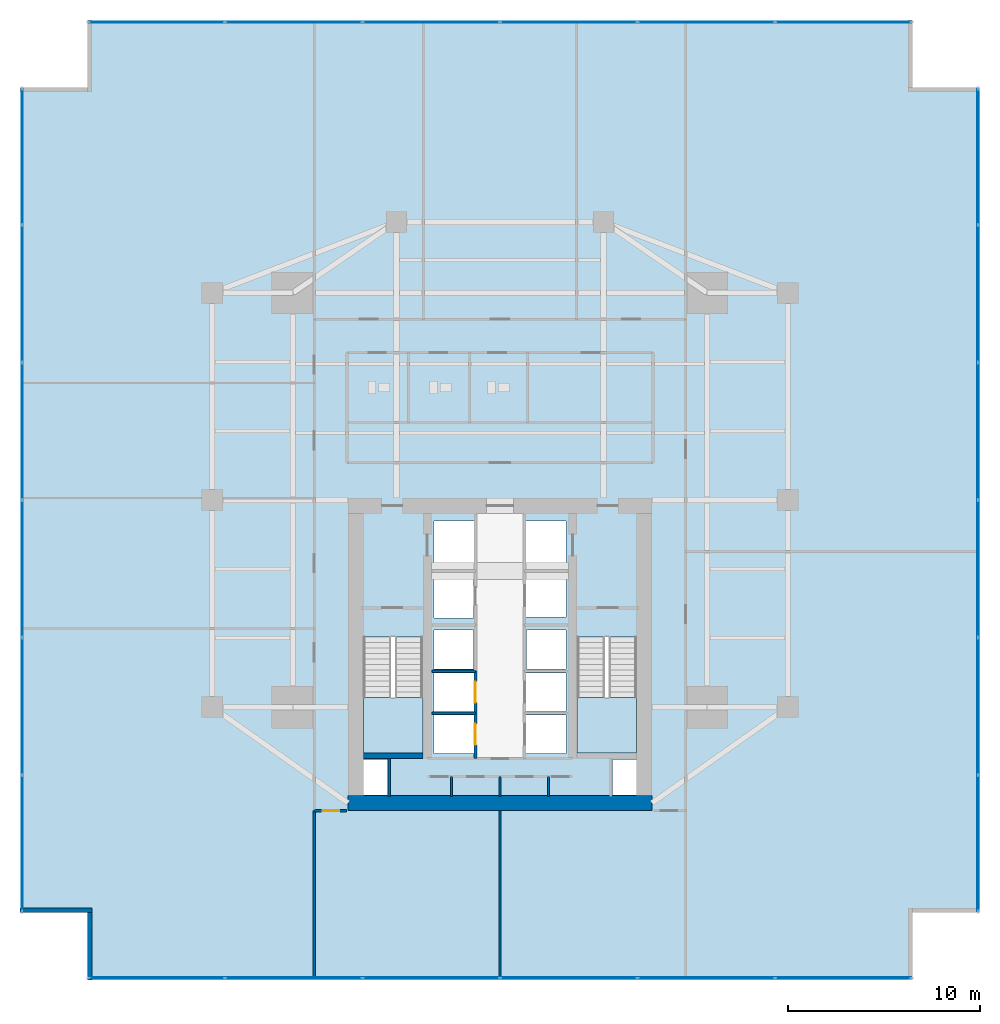
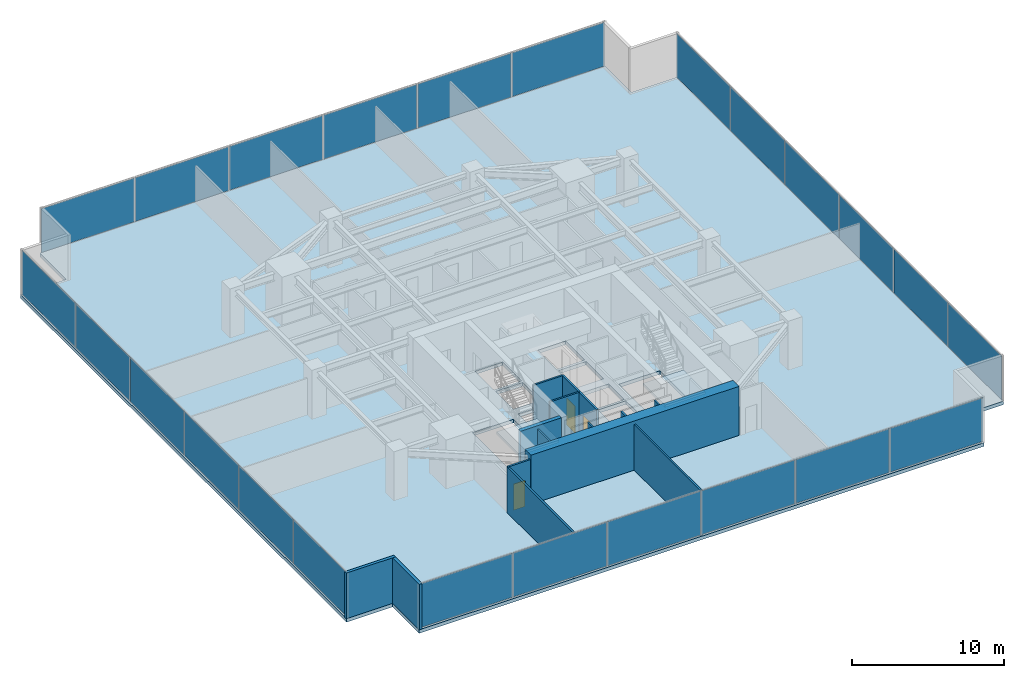
# One storey, part 24 of 28: 24 plates, 14 walls, 3 doors, 3 slabs, 3 openings, 6 elements without a shape of their own.
"""IFC4 building model written with IfcOpenShell, lengths in metres."""

from ifc_helpers import new_model, si_unit, direction, frame, frame_2d, origin, origin_2d, place, context, subcontext, project, spatial, polyline, rectangle, outline, extrude, source, transform, mapped, material, layer, layer_set, type_object, type_shapes, element, fill, aggregate, save


model = new_model("IFC4")

# Units and contexts
model_context = context("Model", 3, precision=1e-05, world=origin(), true_north=direction((0.0, 1.0)))
body_context = subcontext(model_context, "Body", "Model", "MODEL_VIEW")
ifc_project = project(units=[si_unit("LENGTHUNIT", "METRE"), si_unit("AREAUNIT", "SQUARE_METRE"), si_unit("VOLUMEUNIT", "CUBIC_METRE"), si_unit("PLANEANGLEUNIT", "RADIAN"), si_unit("MASSUNIT", "GRAM", prefix="KILO")], contexts=[model_context])

# Site, building, storey
site_placement = place(None, origin())
site = spatial("IfcSite", under=ifc_project, at=site_placement, CompositionType="ELEMENT")
building_placement = place(site_placement, origin())
building = spatial("IfcBuilding", under=site, at=building_placement, Name="Krantzveldt Concourse Tower", CompositionType="ELEMENT")
storey_placement = place(building_placement, frame((0.0, 0.0, 28.949951171875)))
storey = spatial("IfcBuildingStorey", under=building, at=storey_placement, Name="L06", CompositionType="ELEMENT", Elevation=28.949951171875)

# Stair, slab
ifc_material_1 = material(Name="Precast concrete C40/50", Category="concrete")
stair_type = type_object("IfcStairType", Name="STR-CORE-DOGLEG", PredefinedType="HALF_TURN_STAIR", material=ifc_material_1)
stair_1_placement = place(storey_placement, origin())
stair_1 = element("IfcStair", 1, at=stair_1_placement, inside=storey, type_object=stair_type, Name="L06 Protected Escape Stair ST-1", PredefinedType="HALF_TURN_STAIR")
ifc_layer_1 = layer(ifc_material_1, 0.199951171875, Name="Precast concrete C40/50", Category="concrete")
ifc_layer_set_1 = layer_set([ifc_layer_1], Name="Precast concrete C40/50 (SL-LANDING-200)")
slab_type_1 = type_object("IfcSlabType", Name="SL-LANDING-200", PredefinedType="LANDING", material=ifc_layer_set_1)
slab_1_placement = place(storey_placement, frame((0.0, 0.0, 1.775146484375)))
slab_1 = element("IfcSlab", 2, at=slab_1_placement, type_object=slab_type_1, Name="ST-1 landing 1", PredefinedType="LANDING", context=body_context, shape_type="SweptSolid", body=[
    extrude(outline(polyline([(28.8798828125, 16.4150390625), (28.8798828125, 13.52001953125), (31.97998046875, 13.52001953125), (31.97998046875, 16.4150390625), (28.8798828125, 16.4150390625)])), origin(), (0.0, 0.0, 1.0), 0.199951171875),
])
aggregate(stair_1, [slab_1])

stair_2_placement = place(storey_placement, origin())
stair_2 = element("IfcStair", 3, at=stair_2_placement, inside=storey, type_object=stair_type, Name="L06 Protected Escape Stair ST-2", PredefinedType="HALF_TURN_STAIR")
slab_2_placement = place(storey_placement, frame((0.0, 0.0, 1.775146484375)))
slab_2 = element("IfcSlab", 4, at=slab_2_placement, type_object=slab_type_1, Name="ST-2 landing 1", PredefinedType="LANDING", context=body_context, shape_type="SweptSolid", body=[
    extrude(outline(polyline([(40.02001953125, 16.4150390625), (40.02001953125, 13.52001953125), (43.1201171875, 13.52001953125), (43.1201171875, 16.4150390625), (40.02001953125, 16.4150390625)])), origin(), (0.0, 0.0, 1.0), 0.199951171875),
])
aggregate(stair_2, [slab_2])

# Slab
ifc_material_2 = material(Name="Concrete C40/50", Category="concrete")
ifc_layer_2 = layer(ifc_material_2, 0.280029296875, Name="Concrete C40/50", Category="concrete")
ifc_layer_set_2 = layer_set([ifc_layer_2], Name="Concrete C40/50 (SL-SL-TWR280)")
slab_type_2 = type_object("IfcSlabType", Name="SL-SL-TWR280", PredefinedType="FLOOR", material=ifc_layer_set_2)
slab_3_placement = place(storey_placement, frame((0.0, 0.0, -0.280029296875)))
element("IfcSlab", 5, at=slab_3_placement, inside=storey, type_object=slab_type_2, Name="SL-L06-MAIN", PredefinedType="FLOOR", context=body_context, shape_type="SweptSolid", body=[
    extrude(outline(polyline([(14.5, 48.199951171875), (11.0, 48.199951171875), (11.0, 5.199951171875), (14.5, 5.199951171875), (14.5, 1.699951171875), (57.5, 1.699951171875), (57.5, 5.199951171875), (61.0, 5.199951171875), (61.0, 48.199951171875), (57.5, 48.199951171875), (57.5, 51.699951171875), (14.5, 51.699951171875), (14.5, 48.199951171875)]), holes=[polyline([(28.8798828125, 19.547607421875), (28.8798828125, 13.52001953125), (31.97998046875, 13.52001953125), (31.97998046875, 19.547607421875), (28.8798828125, 19.547607421875)]), polyline([(40.02001953125, 19.547607421875), (40.02001953125, 13.52001953125), (43.1201171875, 13.52001953125), (43.1201171875, 19.547607421875), (40.02001953125, 19.547607421875)]), polyline([(32.550048828125, 23.10009765625), (34.64990234375, 23.10009765625), (34.64990234375, 25.60009765625), (32.550048828125, 25.60009765625), (32.550048828125, 23.10009765625)]), polyline([(37.35009765625, 23.10009765625), (39.449951171875, 23.10009765625), (39.449951171875, 25.60009765625), (37.35009765625, 25.60009765625), (37.35009765625, 23.10009765625)]), polyline([(37.35009765625, 20.60009765625), (39.449951171875, 20.60009765625), (39.449951171875, 22.89990234375), (37.35009765625, 22.89990234375), (37.35009765625, 20.60009765625)]), polyline([(32.550048828125, 13.47998046875), (34.64990234375, 13.47998046875), (34.64990234375, 15.47998046875), (32.550048828125, 15.47998046875), (32.550048828125, 13.47998046875)]), polyline([(32.550048828125, 15.679931640625), (34.64990234375, 15.679931640625), (34.64990234375, 17.679931640625), (32.550048828125, 17.679931640625), (32.550048828125, 15.679931640625)]), polyline([(37.35009765625, 13.47998046875), (39.449951171875, 13.47998046875), (39.449951171875, 15.47998046875), (37.35009765625, 15.47998046875), (37.35009765625, 13.47998046875)]), polyline([(37.35009765625, 15.679931640625), (39.449951171875, 15.679931640625), (39.449951171875, 17.679931640625), (37.35009765625, 17.679931640625), (37.35009765625, 15.679931640625)]), polyline([(32.550048828125, 20.550048828125), (34.6201171875, 20.550048828125), (34.6201171875, 22.89990234375), (32.550048828125, 22.89990234375), (32.550048828125, 20.550048828125)]), polyline([(32.550048828125, 17.8798828125), (34.6201171875, 17.8798828125), (34.6201171875, 19.919921875), (32.550048828125, 19.919921875), (32.550048828125, 17.8798828125)]), polyline([(37.3798828125, 17.8798828125), (39.449951171875, 17.8798828125), (39.449951171875, 19.919921875), (37.3798828125, 19.919921875), (37.3798828125, 17.8798828125)]), polyline([(28.8798828125, 11.320068359375), (30.139892578125, 11.320068359375), (30.139892578125, 13.159912109375), (28.8798828125, 13.159912109375), (28.8798828125, 11.320068359375)]), polyline([(41.860107421875, 11.320068359375), (43.1201171875, 11.320068359375), (43.1201171875, 13.159912109375), (41.860107421875, 13.159912109375), (41.860107421875, 11.320068359375)])]), origin(), (0.0, 0.0, 1.0), 0.280029296875),
])

# Curtain wall, plates
ifc_material_3 = material(Name="Anodised aluminium 6063-T6", Category="aluminium")
curtain_wall_type = type_object("IfcCurtainWallType", Name="CW2", PredefinedType="USERDEFINED", material=ifc_material_3)
curtain_wall_1_placement = place(storey_placement, origin())
curtain_wall_1 = element("IfcCurtainWall", 6, at=curtain_wall_1_placement, inside=storey, type_object=curtain_wall_type, Name="CW-L06-F01", ObjectType="UNITISED CURTAIN WALL", PredefinedType="USERDEFINED")
ifc_material_4 = material(Name="Bronze-tinted laminated low-E IGU glass", Category="glass")
ifc_layer_3 = layer(ifc_material_4, 0.031982421875, Name="Bronze-tinted laminated low-E IGU glass", Category="glass")
ifc_layer_set_3 = layer_set([ifc_layer_3], Name="Bronze-tinted laminated low-E IGU glass (CW-GLZ-32)")
plate_type = type_object("IfcPlateType", Name="CW-GLZ-32", PredefinedType="CURTAIN_PANEL", material=ifc_layer_set_3)
shared_shape_1 = source(origin(), body_context, "Body", "SweptSolid", [
    extrude(rectangle(XDim=7.061767578125, YDim=0.031982421875, at=origin_2d()), origin(), (0.0, 0.0, 1.0), 3.530029296875),
])
plate_1_placement = place(storey_placement, frame((11.090087890625, 44.59912109375, 0.06982421875), z_axis=(0.0, 0.0, 1.0), x_axis=(0.0, -1.0, 0.0)))
plate_1 = element("IfcPlate", 7, at=plate_1_placement, type_object=plate_type, Name="CW-Z12 panel 1.1", PredefinedType="CURTAIN_PANEL", context=body_context, shape_type="MappedRepresentation", body=[
    mapped(shared_shape_1, transform((0.0, 0.0, 0.0), x_axis=(1.0, 0.0, 0.0), y_axis=(0.0, 1.0, 0.0), z_axis=(0.0, 0.0, 1.0), scale=1.0)),
])
plate_2_placement = place(storey_placement, frame((11.090087890625, 8.80078125, 0.06982421875), z_axis=(0.0, 0.0, 1.0), x_axis=(0.0, -1.0, 0.0)))
plate_2 = element("IfcPlate", 8, at=plate_2_placement, type_object=plate_type, Name="CW-Z12 panel 6.1", PredefinedType="CURTAIN_PANEL", context=body_context, shape_type="MappedRepresentation", body=[
    mapped(shared_shape_1, transform((0.0, 0.0, 0.0), x_axis=(1.0, 0.0, 0.0), y_axis=(0.0, 1.0, 0.0), z_axis=(0.0, 0.0, 1.0), scale=1.0)),
])

curtain_wall_2_placement = place(storey_placement, origin())
curtain_wall_2 = element("IfcCurtainWall", 9, at=curtain_wall_2_placement, inside=storey, type_object=curtain_wall_type, Name="CW-L06-F04", ObjectType="UNITISED CURTAIN WALL", PredefinedType="USERDEFINED")
plate_3_placement = place(storey_placement, frame((18.100830078125, 1.7900390625, 0.06982421875), z_axis=(0.0, 0.0, 1.0), x_axis=(1.0, 0.0, 0.0)))
plate_3 = element("IfcPlate", 10, at=plate_3_placement, type_object=plate_type, Name="CW-Z12 panel 1.1", PredefinedType="CURTAIN_PANEL", context=body_context, shape_type="MappedRepresentation", body=[
    mapped(shared_shape_1, transform((0.0, 0.0, 0.0), x_axis=(1.0, 0.0, 0.0), y_axis=(0.0, 1.0, 0.0), z_axis=(0.0, 0.0, 1.0), scale=1.0)),
])
plate_4_placement = place(storey_placement, frame((53.899169921875, 1.7900390625, 0.06982421875), z_axis=(0.0, 0.0, 1.0), x_axis=(1.0, 0.0, 0.0)))
plate_4 = element("IfcPlate", 11, at=plate_4_placement, type_object=plate_type, Name="CW-Z12 panel 6.1", PredefinedType="CURTAIN_PANEL", context=body_context, shape_type="MappedRepresentation", body=[
    mapped(shared_shape_1, transform((0.0, 0.0, 0.0), x_axis=(1.0, 0.0, 0.0), y_axis=(0.0, 1.0, 0.0), z_axis=(0.0, 0.0, 1.0), scale=1.0)),
])

curtain_wall_3_placement = place(storey_placement, origin())
curtain_wall_3 = element("IfcCurtainWall", 12, at=curtain_wall_3_placement, inside=storey, type_object=curtain_wall_type, Name="CW-L06-F07", ObjectType="UNITISED CURTAIN WALL", PredefinedType="USERDEFINED")
plate_5_placement = place(storey_placement, frame((60.909912109375, 8.80078125, 0.06982421875), z_axis=(0.0, 0.0, 1.0), x_axis=(0.0, 1.0, 0.0)))
plate_5 = element("IfcPlate", 13, at=plate_5_placement, type_object=plate_type, Name="CW-Z12 panel 1.1", PredefinedType="CURTAIN_PANEL", context=body_context, shape_type="MappedRepresentation", body=[
    mapped(shared_shape_1, transform((0.0, 0.0, 0.0), x_axis=(1.0, 0.0, 0.0), y_axis=(0.0, 1.0, 0.0), z_axis=(0.0, 0.0, 1.0), scale=1.0)),
])
plate_6_placement = place(storey_placement, frame((60.909912109375, 44.59912109375, 0.06982421875), z_axis=(0.0, 0.0, 1.0), x_axis=(0.0, 1.0, 0.0)))
plate_6 = element("IfcPlate", 14, at=plate_6_placement, type_object=plate_type, Name="CW-Z12 panel 6.1", PredefinedType="CURTAIN_PANEL", context=body_context, shape_type="MappedRepresentation", body=[
    mapped(shared_shape_1, transform((0.0, 0.0, 0.0), x_axis=(1.0, 0.0, 0.0), y_axis=(0.0, 1.0, 0.0), z_axis=(0.0, 0.0, 1.0), scale=1.0)),
])

curtain_wall_4_placement = place(storey_placement, origin())
curtain_wall_4 = element("IfcCurtainWall", 15, at=curtain_wall_4_placement, inside=storey, type_object=curtain_wall_type, Name="CW-L06-F10", ObjectType="UNITISED CURTAIN WALL", PredefinedType="USERDEFINED")
plate_7_placement = place(storey_placement, frame((53.899169921875, 51.610107421875, 0.06982421875), z_axis=(0.0, 0.0, 1.0), x_axis=(-1.0, 0.0, 0.0)))
plate_7 = element("IfcPlate", 16, at=plate_7_placement, type_object=plate_type, Name="CW-Z12 panel 1.1", PredefinedType="CURTAIN_PANEL", context=body_context, shape_type="MappedRepresentation", body=[
    mapped(shared_shape_1, transform((0.0, 0.0, 0.0), x_axis=(1.0, 0.0, 0.0), y_axis=(0.0, 1.0, 0.0), z_axis=(0.0, 0.0, 1.0), scale=1.0)),
])
plate_8_placement = place(storey_placement, frame((18.100830078125, 51.610107421875, 0.06982421875), z_axis=(0.0, 0.0, 1.0), x_axis=(-1.0, 0.0, 0.0)))
plate_8 = element("IfcPlate", 17, at=plate_8_placement, type_object=plate_type, Name="CW-Z12 panel 6.1", PredefinedType="CURTAIN_PANEL", context=body_context, shape_type="MappedRepresentation", body=[
    mapped(shared_shape_1, transform((0.0, 0.0, 0.0), x_axis=(1.0, 0.0, 0.0), y_axis=(0.0, 1.0, 0.0), z_axis=(0.0, 0.0, 1.0), scale=1.0)),
])

# Plate
shared_shape_2 = source(origin(), body_context, "Body", "SweptSolid", [
    extrude(rectangle(XDim=7.0966796875, YDim=0.031982421875, at=origin_2d()), origin(), (0.0, 0.0, 1.0), 3.530029296875),
])
type_shapes(plate_type, [shared_shape_1, shared_shape_2])
plate_9_placement = place(storey_placement, frame((11.090087890625, 37.449951171875, 0.06982421875), z_axis=(0.0, 0.0, 1.0), x_axis=(0.0, -1.0, 0.0)))
plate_9 = element("IfcPlate", 18, at=plate_9_placement, type_object=plate_type, Name="CW-Z12 panel 2.1", PredefinedType="CURTAIN_PANEL", context=body_context, shape_type="MappedRepresentation", body=[
    mapped(shared_shape_2, transform((0.0, 0.0, 0.0), x_axis=(1.0, 0.0, 0.0), y_axis=(0.0, 1.0, 0.0), z_axis=(0.0, 0.0, 1.0), scale=1.0)),
])

plate_10_placement = place(storey_placement, frame((11.090087890625, 30.283447265625, 0.06982421875), z_axis=(0.0, 0.0, 1.0), x_axis=(0.0, -1.0, 0.0)))
plate_10 = element("IfcPlate", 19, at=plate_10_placement, type_object=plate_type, Name="CW-Z12 panel 3.1", PredefinedType="CURTAIN_PANEL", context=body_context, shape_type="MappedRepresentation", body=[
    mapped(shared_shape_2, transform((0.0, 0.0, 0.0), x_axis=(1.0, 0.0, 0.0), y_axis=(0.0, 1.0, 0.0), z_axis=(0.0, 0.0, 1.0), scale=1.0)),
])

plate_11_placement = place(storey_placement, frame((11.090087890625, 23.11669921875, 0.06982421875), z_axis=(0.0, 0.0, 1.0), x_axis=(0.0, -1.0, 0.0)))
plate_11 = element("IfcPlate", 20, at=plate_11_placement, type_object=plate_type, Name="CW-Z12 panel 4.1", PredefinedType="CURTAIN_PANEL", context=body_context, shape_type="MappedRepresentation", body=[
    mapped(shared_shape_2, transform((0.0, 0.0, 0.0), x_axis=(1.0, 0.0, 0.0), y_axis=(0.0, 1.0, 0.0), z_axis=(0.0, 0.0, 1.0), scale=1.0)),
])

plate_12_placement = place(storey_placement, frame((11.090087890625, 15.949951171875, 0.06982421875), z_axis=(0.0, 0.0, 1.0), x_axis=(0.0, -1.0, 0.0)))
plate_12 = element("IfcPlate", 21, at=plate_12_placement, type_object=plate_type, Name="CW-Z12 panel 5.1", PredefinedType="CURTAIN_PANEL", context=body_context, shape_type="MappedRepresentation", body=[
    mapped(shared_shape_2, transform((0.0, 0.0, 0.0), x_axis=(1.0, 0.0, 0.0), y_axis=(0.0, 1.0, 0.0), z_axis=(0.0, 0.0, 1.0), scale=1.0)),
])

aggregate(curtain_wall_1, [plate_1, plate_9, plate_10, plate_11, plate_12, plate_2])

plate_13_placement = place(storey_placement, frame((25.25, 1.7900390625, 0.06982421875), z_axis=(0.0, 0.0, 1.0), x_axis=(1.0, 0.0, 0.0)))
plate_13 = element("IfcPlate", 22, at=plate_13_placement, type_object=plate_type, Name="CW-Z12 panel 2.1", PredefinedType="CURTAIN_PANEL", context=body_context, shape_type="MappedRepresentation", body=[
    mapped(shared_shape_2, transform((0.0, 0.0, 0.0), x_axis=(1.0, 0.0, 0.0), y_axis=(0.0, 1.0, 0.0), z_axis=(0.0, 0.0, 1.0), scale=1.0)),
])

plate_14_placement = place(storey_placement, frame((32.416748046875, 1.7900390625, 0.06982421875), z_axis=(0.0, 0.0, 1.0), x_axis=(1.0, 0.0, 0.0)))
plate_14 = element("IfcPlate", 23, at=plate_14_placement, type_object=plate_type, Name="CW-Z12 panel 3.1", PredefinedType="CURTAIN_PANEL", context=body_context, shape_type="MappedRepresentation", body=[
    mapped(shared_shape_2, transform((0.0, 0.0, 0.0), x_axis=(1.0, 0.0, 0.0), y_axis=(0.0, 1.0, 0.0), z_axis=(0.0, 0.0, 1.0), scale=1.0)),
])

plate_15_placement = place(storey_placement, frame((39.583251953125, 1.7900390625, 0.06982421875), z_axis=(0.0, 0.0, 1.0), x_axis=(1.0, 0.0, 0.0)))
plate_15 = element("IfcPlate", 24, at=plate_15_placement, type_object=plate_type, Name="CW-Z12 panel 4.1", PredefinedType="CURTAIN_PANEL", context=body_context, shape_type="MappedRepresentation", body=[
    mapped(shared_shape_2, transform((0.0, 0.0, 0.0), x_axis=(1.0, 0.0, 0.0), y_axis=(0.0, 1.0, 0.0), z_axis=(0.0, 0.0, 1.0), scale=1.0)),
])

plate_16_placement = place(storey_placement, frame((46.75, 1.7900390625, 0.06982421875), z_axis=(0.0, 0.0, 1.0), x_axis=(1.0, 0.0, 0.0)))
plate_16 = element("IfcPlate", 25, at=plate_16_placement, type_object=plate_type, Name="CW-Z12 panel 5.1", PredefinedType="CURTAIN_PANEL", context=body_context, shape_type="MappedRepresentation", body=[
    mapped(shared_shape_2, transform((0.0, 0.0, 0.0), x_axis=(1.0, 0.0, 0.0), y_axis=(0.0, 1.0, 0.0), z_axis=(0.0, 0.0, 1.0), scale=1.0)),
])

aggregate(curtain_wall_2, [plate_3, plate_13, plate_14, plate_15, plate_16, plate_4])

plate_17_placement = place(storey_placement, frame((60.909912109375, 15.949951171875, 0.06982421875), z_axis=(0.0, 0.0, 1.0), x_axis=(0.0, 1.0, 0.0)))
plate_17 = element("IfcPlate", 26, at=plate_17_placement, type_object=plate_type, Name="CW-Z12 panel 2.1", PredefinedType="CURTAIN_PANEL", context=body_context, shape_type="MappedRepresentation", body=[
    mapped(shared_shape_2, transform((0.0, 0.0, 0.0), x_axis=(1.0, 0.0, 0.0), y_axis=(0.0, 1.0, 0.0), z_axis=(0.0, 0.0, 1.0), scale=1.0)),
])

plate_18_placement = place(storey_placement, frame((60.909912109375, 23.11669921875, 0.06982421875), z_axis=(0.0, 0.0, 1.0), x_axis=(0.0, 1.0, 0.0)))
plate_18 = element("IfcPlate", 27, at=plate_18_placement, type_object=plate_type, Name="CW-Z12 panel 3.1", PredefinedType="CURTAIN_PANEL", context=body_context, shape_type="MappedRepresentation", body=[
    mapped(shared_shape_2, transform((0.0, 0.0, 0.0), x_axis=(1.0, 0.0, 0.0), y_axis=(0.0, 1.0, 0.0), z_axis=(0.0, 0.0, 1.0), scale=1.0)),
])

plate_19_placement = place(storey_placement, frame((60.909912109375, 30.283447265625, 0.06982421875), z_axis=(0.0, 0.0, 1.0), x_axis=(0.0, 1.0, 0.0)))
plate_19 = element("IfcPlate", 28, at=plate_19_placement, type_object=plate_type, Name="CW-Z12 panel 4.1", PredefinedType="CURTAIN_PANEL", context=body_context, shape_type="MappedRepresentation", body=[
    mapped(shared_shape_2, transform((0.0, 0.0, 0.0), x_axis=(1.0, 0.0, 0.0), y_axis=(0.0, 1.0, 0.0), z_axis=(0.0, 0.0, 1.0), scale=1.0)),
])

plate_20_placement = place(storey_placement, frame((60.909912109375, 37.449951171875, 0.06982421875), z_axis=(0.0, 0.0, 1.0), x_axis=(0.0, 1.0, 0.0)))
plate_20 = element("IfcPlate", 29, at=plate_20_placement, type_object=plate_type, Name="CW-Z12 panel 5.1", PredefinedType="CURTAIN_PANEL", context=body_context, shape_type="MappedRepresentation", body=[
    mapped(shared_shape_2, transform((0.0, 0.0, 0.0), x_axis=(1.0, 0.0, 0.0), y_axis=(0.0, 1.0, 0.0), z_axis=(0.0, 0.0, 1.0), scale=1.0)),
])

aggregate(curtain_wall_3, [plate_5, plate_17, plate_18, plate_19, plate_20, plate_6])

plate_21_placement = place(storey_placement, frame((46.75, 51.610107421875, 0.06982421875), z_axis=(0.0, 0.0, 1.0), x_axis=(-1.0, 0.0, 0.0)))
plate_21 = element("IfcPlate", 30, at=plate_21_placement, type_object=plate_type, Name="CW-Z12 panel 2.1", PredefinedType="CURTAIN_PANEL", context=body_context, shape_type="MappedRepresentation", body=[
    mapped(shared_shape_2, transform((0.0, 0.0, 0.0), x_axis=(1.0, 0.0, 0.0), y_axis=(0.0, 1.0, 0.0), z_axis=(0.0, 0.0, 1.0), scale=1.0)),
])

plate_22_placement = place(storey_placement, frame((39.583251953125, 51.610107421875, 0.06982421875), z_axis=(0.0, 0.0, 1.0), x_axis=(-1.0, 0.0, 0.0)))
plate_22 = element("IfcPlate", 31, at=plate_22_placement, type_object=plate_type, Name="CW-Z12 panel 3.1", PredefinedType="CURTAIN_PANEL", context=body_context, shape_type="MappedRepresentation", body=[
    mapped(shared_shape_2, transform((0.0, 0.0, 0.0), x_axis=(1.0, 0.0, 0.0), y_axis=(0.0, 1.0, 0.0), z_axis=(0.0, 0.0, 1.0), scale=1.0)),
])

plate_23_placement = place(storey_placement, frame((32.416748046875, 51.610107421875, 0.06982421875), z_axis=(0.0, 0.0, 1.0), x_axis=(-1.0, 0.0, 0.0)))
plate_23 = element("IfcPlate", 32, at=plate_23_placement, type_object=plate_type, Name="CW-Z12 panel 4.1", PredefinedType="CURTAIN_PANEL", context=body_context, shape_type="MappedRepresentation", body=[
    mapped(shared_shape_2, transform((0.0, 0.0, 0.0), x_axis=(1.0, 0.0, 0.0), y_axis=(0.0, 1.0, 0.0), z_axis=(0.0, 0.0, 1.0), scale=1.0)),
])

plate_24_placement = place(storey_placement, frame((25.25, 51.610107421875, 0.06982421875), z_axis=(0.0, 0.0, 1.0), x_axis=(-1.0, 0.0, 0.0)))
plate_24 = element("IfcPlate", 33, at=plate_24_placement, type_object=plate_type, Name="CW-Z12 panel 5.1", PredefinedType="CURTAIN_PANEL", context=body_context, shape_type="MappedRepresentation", body=[
    mapped(shared_shape_2, transform((0.0, 0.0, 0.0), x_axis=(1.0, 0.0, 0.0), y_axis=(0.0, 1.0, 0.0), z_axis=(0.0, 0.0, 1.0), scale=1.0)),
])

aggregate(curtain_wall_4, [plate_7, plate_21, plate_22, plate_23, plate_24, plate_8])

# Walls
ifc_layer_4 = layer(ifc_material_3, 0.219970703125, Name="Anodised aluminium 6063-T6", Category="aluminium")
ifc_layer_set_4 = layer_set([ifc_layer_4], Name="Anodised aluminium 6063-T6 (WL-EXT-NOTCH220)")
wall_type_1 = type_object("IfcWallType", Name="WL-EXT-NOTCH220", PredefinedType="ELEMENTEDWALL", material=ifc_layer_set_4)
wall_1_placement = place(storey_placement, frame((10.97509765625, 5.31005859375, 0.0), z_axis=(0.0, 0.0, 1.0), x_axis=(1.0, 0.0, 0.0)))
element("IfcWall", 34, at=wall_1_placement, inside=storey, type_object=wall_type_1, Name="EW-L06-NCH02", PredefinedType="ELEMENTEDWALL", context=body_context, shape_type="SweptSolid", body=[
    extrude(rectangle(XDim=3.744873046875, YDim=0.219970703125, at=frame_2d((1.87255859375, 0.0))), origin(), (0.0, 0.0, 1.0), 3.670166015625),
])
wall_2_placement = place(storey_placement, frame((14.610107421875, 5.199951171875, 0.0), z_axis=(0.0, 0.0, 1.0), x_axis=(0.0, -1.0, 0.0)))
element("IfcWall", 35, at=wall_2_placement, inside=storey, type_object=wall_type_1, Name="EW-L06-NCH03", PredefinedType="ELEMENTEDWALL", context=body_context, shape_type="SweptSolid", body=[
    extrude(rectangle(XDim=3.52490234375, YDim=0.219970703125, at=frame_2d((1.762451171875, 0.0))), origin(), (0.0, 0.0, 1.0), 3.670166015625),
])
ifc_material_5 = material(Name="Fire-rated gypsum plasterboard on steel stud", Category="steel")
ifc_layer_5 = layer(ifc_material_5, 0.1201171875, Name="Fire-rated gypsum plasterboard on steel stud", Category="steel")
ifc_layer_set_5 = layer_set([ifc_layer_5], Name="Fire-rated gypsum plasterboard on steel stud (WL-PART-120)")
wall_type_2 = type_object("IfcWallType", Name="WL-PART-120", PredefinedType="PARTITIONING", material=ifc_layer_set_5)
for number, where, z_axis, x_axis, name in (
    (36, (33.469970703125, 11.25, 0.0), (0.0, 0.0, 1.0), (0.0, 1.0, 0.0), "WP-L06-CSD-V1"),
    (37, (36.0, 11.25, 0.0), (0.0, 0.0, 1.0), (0.0, 1.0, 0.0), "WP-L06-CSD-V2"),
    (38, (38.530029296875, 11.25, 0.0), (0.0, 0.0, 1.0), (0.0, 1.0, 0.0), "WP-L06-CSD-V3"),
):
    element("IfcWall", number, at=place(storey_placement, frame(where, z_axis=z_axis, x_axis=x_axis)), inside=storey, type_object=wall_type_2, Name=name, PredefinedType="PARTITIONING", context=body_context, shape_type="SweptSolid", body=[
        extrude(rectangle(XDim=1.030029296875, YDim=0.1201171875, at=frame_2d((0.51513671875, 0.0))), origin(), (0.0, 0.0, 1.0), 3.670166015625),
    ])
wall_3_placement = place(storey_placement, frame((36.0, 1.7900390625, 0.0), z_axis=(0.0, 0.0, 1.0), x_axis=(0.0, 1.0, 0.0)))
element("IfcWall", 39, at=wall_3_placement, inside=storey, type_object=wall_type_2, Name="WP-L06-SMD", PredefinedType="PARTITIONING", context=body_context, shape_type="SweptSolid", body=[
    extrude(rectangle(XDim=8.7099609375, YDim=0.1201171875, at=frame_2d((4.35498046875, 0.0))), origin(), (0.0, 0.0, 1.0), 3.670166015625),
])

# Wall, opening, door
ifc_layer_6 = layer(ifc_material_5, 0.139892578125, Name="Fire-rated gypsum plasterboard on steel stud", Category="steel")
ifc_layer_set_6 = layer_set([ifc_layer_6], Name="Fire-rated gypsum plasterboard on steel stud (WL-PART-140)")
wall_type_3 = type_object("IfcWallType", Name="WL-PART-140", PredefinedType="PARTITIONING", material=ifc_layer_set_6)
wall_4_placement = place(storey_placement, frame((26.320068359375, 10.5, 0.0), z_axis=(0.0, 0.0, 1.0), x_axis=(1.0, 0.0, 0.0)))
wall_4 = element("IfcWall", 40, at=wall_4_placement, inside=storey, type_object=wall_type_3, Name="WP-L06-CWBOT", PredefinedType="PARTITIONING", context=body_context, shape_type="SweptSolid", body=[
    extrude(rectangle(XDim=1.679931640625, YDim=0.139892578125, at=frame_2d((0.83984375, 0.0))), origin(), (0.0, 0.0, 1.0), 3.670166015625),
])
opening_1_placement = place(wall_4_placement, frame((0.445068359375, 0.0, 0.0)))
opening_1 = element("IfcOpeningElement", 41, at=opening_1_placement, cuts=wall_4, Name="Opening D-IN085", PredefinedType="OPENING", context=body_context, shape_type="SweptSolid", body=[
    extrude(rectangle(XDim=0.85009765625, YDim=2.10009765625, at=frame_2d((0.425048828125, 1.050048828125))), frame((0.0, 0.080078125, 0.0), z_axis=(0.0, -1.0, 0.0), x_axis=(1.0, 0.0, 0.0)), (0.0, 0.0, 1.0), 0.159912109375),
])
ifc_material_6 = material(Name="Hardwood timber", Category="wood")
door_type_1 = type_object("IfcDoorType", Name="DR-INT-850", OperationType="SINGLE_SWING_LEFT", PredefinedType="DOOR", material=ifc_material_6)
door_1_placement = place(opening_1_placement, origin())
door_1 = element("IfcDoor", 42, at=door_1_placement, inside=storey, type_object=door_type_1, Name="DR-L06-SR1", OperationType="SINGLE_SWING_LEFT", OverallHeight=2.10009765625, OverallWidth=0.85009765625, PredefinedType="DOOR", context=body_context, shape_type="SweptSolid", body=[
    extrude(rectangle(XDim=0.85009765625, YDim=2.10009765625, at=frame_2d((0.425048828125, 1.050048828125))), frame((0.0, 0.02490234375, 0.0), z_axis=(0.0, -1.0, 0.0), x_axis=(1.0, 0.0, 0.0)), (0.0, 0.0, 1.0), 0.050048828125),
])
fill(opening_1, door_1)

# Walls
wall_5_placement = place(storey_placement, frame((26.320068359375, 1.7900390625, 0.0), z_axis=(0.0, 0.0, 1.0), x_axis=(0.0, 1.0, 0.0)))
element("IfcWall", 43, at=wall_5_placement, inside=storey, type_object=wall_type_3, Name="WP-L06-SWL", PredefinedType="PARTITIONING", context=body_context, shape_type="SweptSolid", body=[
    extrude(rectangle(XDim=8.7099609375, YDim=0.139892578125, at=frame_2d((4.35498046875, 0.0))), origin(), (0.0, 0.0, 1.0), 3.670166015625),
])
ifc_layer_7 = layer(ifc_material_5, 0.139892578125, Name="Fire-rated gypsum plasterboard on steel stud", Category="steel")
ifc_layer_set_7 = layer_set([ifc_layer_7], Name="Fire-rated gypsum plasterboard on steel stud (WL-PART-FR140)")
wall_type_4 = type_object("IfcWallType", Name="WL-PART-FR140", PredefinedType="PARTITIONING", material=ifc_layer_set_7)
wall_6_placement = place(storey_placement, frame((32.449951171875, 17.780029296875, 0.0), z_axis=(0.0, 0.0, 1.0), x_axis=(1.0, 0.0, 0.0)))
element("IfcWall", 44, at=wall_6_placement, inside=storey, type_object=wall_type_4, Name="WP-L06-DIVW2", PredefinedType="PARTITIONING", context=body_context, shape_type="SweptSolid", body=[
    extrude(rectangle(XDim=2.27001953125, YDim=0.139892578125, at=frame_2d((1.135009765625, 0.0))), origin(), (0.0, 0.0, 1.0), 3.670166015625),
])

# Wall, openings, doors
wall_7_placement = place(storey_placement, frame((34.719970703125, 13.219970703125, 0.0), z_axis=(0.0, 0.0, 1.0), x_axis=(0.0, 1.0, 0.0)))
wall_7 = element("IfcWall", 45, at=wall_7_placement, inside=storey, type_object=wall_type_4, Name="WP-L06-SHSW", PredefinedType="PARTITIONING", context=body_context, shape_type="SweptSolid", body=[
    extrude(rectangle(XDim=4.56005859375, YDim=0.139892578125, at=frame_2d((2.280029296875, 0.0))), origin(), (0.0, 0.0, 1.0), 3.670166015625),
])
opening_2_placement = place(wall_7_placement, frame((0.7099609375, 0.0, 0.0)))
opening_2 = element("IfcOpeningElement", 46, at=opening_2_placement, cuts=wall_7, Name="Opening LD", PredefinedType="OPENING", context=body_context, shape_type="SweptSolid", body=[
    extrude(rectangle(XDim=1.10009765625, YDim=2.14990234375, at=frame_2d((0.550048828125, 1.074951171875))), frame((0.0, 0.080078125, 0.0), z_axis=(0.0, -1.0, 0.0), x_axis=(1.0, 0.0, 0.0)), (0.0, 0.0, 1.0), 0.159912109375),
])
opening_3_placement = place(wall_7_placement, frame((2.909912109375, 0.0, 0.0)))
opening_3 = element("IfcOpeningElement", 47, at=opening_3_placement, cuts=wall_7, Name="Opening LD", PredefinedType="OPENING", context=body_context, shape_type="SweptSolid", body=[
    extrude(rectangle(XDim=1.10009765625, YDim=2.14990234375, at=frame_2d((0.550048828125, 1.074951171875))), frame((0.0, 0.080078125, 0.0), z_axis=(0.0, -1.0, 0.0), x_axis=(1.0, 0.0, 0.0)), (0.0, 0.0, 1.0), 0.159912109375),
])
ifc_material_7 = material(Name="Stainless steel 316L", Category="steel")
door_type_2 = type_object("IfcDoorType", Name="DR-SLIDE-LD1100", OperationType="DOUBLE_DOOR_SLIDING", PredefinedType="DOOR", material=ifc_material_7)
door_2_placement = place(opening_2_placement, origin())
door_2 = element("IfcDoor", 48, at=door_2_placement, inside=storey, type_object=door_type_2, Name="LD-L06-PL1", OperationType="DOUBLE_DOOR_SLIDING", OverallHeight=2.14990234375, OverallWidth=1.10009765625, PredefinedType="DOOR", context=body_context, shape_type="SweptSolid", body=[
    extrude(rectangle(XDim=1.10009765625, YDim=2.14990234375, at=frame_2d((0.550048828125, 1.074951171875))), frame((0.0, 0.02490234375, 0.0), z_axis=(0.0, -1.0, 0.0), x_axis=(1.0, 0.0, 0.0)), (0.0, 0.0, 1.0), 0.050048828125),
])
fill(opening_2, door_2)
door_3_placement = place(opening_3_placement, origin())
door_3 = element("IfcDoor", 49, at=door_3_placement, inside=storey, type_object=door_type_2, Name="LD-L06-PL2", OperationType="DOUBLE_DOOR_SLIDING", OverallHeight=2.14990234375, OverallWidth=1.10009765625, PredefinedType="DOOR", context=body_context, shape_type="SweptSolid", body=[
    extrude(rectangle(XDim=1.10009765625, YDim=2.14990234375, at=frame_2d((0.550048828125, 1.074951171875))), frame((0.0, 0.02490234375, 0.0), z_axis=(0.0, -1.0, 0.0), x_axis=(1.0, 0.0, 0.0)), (0.0, 0.0, 1.0), 0.050048828125),
])
fill(opening_3, door_3)

# Walls
wall_8_placement = place(storey_placement, frame((32.449951171875, 15.580078125, 0.0), z_axis=(0.0, 0.0, 1.0), x_axis=(1.0, 0.0, 0.0)))
element("IfcWall", 50, at=wall_8_placement, inside=storey, type_object=wall_type_4, Name="WP-L06-DIVW1", PredefinedType="PARTITIONING", context=body_context, shape_type="SweptSolid", body=[
    extrude(rectangle(XDim=2.27001953125, YDim=0.139892578125, at=frame_2d((1.135009765625, 0.0))), origin(), (0.0, 0.0, 1.0), 3.670166015625),
])
wall_9_placement = place(storey_placement, frame((30.219970703125, 11.25, 0.0), z_axis=(0.0, 0.0, 1.0), x_axis=(0.0, 1.0, 0.0)))
element("IfcWall", 51, at=wall_9_placement, inside=storey, type_object=wall_type_4, Name="WP-L06-RSW", PredefinedType="PARTITIONING", context=body_context, shape_type="SweptSolid", body=[
    extrude(rectangle(XDim=1.969970703125, YDim=0.1201171875, at=frame_2d((0.98486328125, 0.0))), origin(), (0.0, 0.0, 1.0), 3.670166015625),
])
ifc_material_8 = material(Name="Concrete C50/60", Category="concrete")
ifc_layer_8 = layer(ifc_material_8, 0.300048828125, Name="Concrete C50/60", Category="concrete")
ifc_layer_set_8 = layer_set([ifc_layer_8], Name="Concrete C50/60 (WL-SHEAR-300)")
wall_type_5 = type_object("IfcWallType", Name="WL-SHEAR-300", PredefinedType="SHEAR", material=ifc_layer_set_8)
wall_10_placement = place(storey_placement, frame((28.8798828125, 13.3701171875, 0.0), z_axis=(0.0, 0.0, 1.0), x_axis=(1.0, 0.0, 0.0)))
element("IfcWall", 52, at=wall_10_placement, inside=storey, type_object=wall_type_5, Name="CW-L06-ST1S", PredefinedType="SHEAR", context=body_context, shape_type="SweptSolid", body=[
    extrude(rectangle(XDim=3.10009765625, YDim=0.300048828125, at=frame_2d((1.550048828125, 0.0))), origin(), (0.0, 0.0, 1.0), 3.949951171875),
])
ifc_material_9 = material(Name="Concrete C60/75", Category="concrete")
ifc_layer_9 = layer(ifc_material_9, 0.800048828125, Name="Concrete C60/75", Category="concrete")
ifc_layer_set_9 = layer_set([ifc_layer_9], Name="Concrete C60/75 (WL-SHEAR-800)")
wall_type_6 = type_object("IfcWallType", Name="WL-SHEAR-800", PredefinedType="SHEAR", material=ifc_layer_set_9)
wall_11_placement = place(storey_placement, frame((28.080078125, 10.89990234375, 0.0), z_axis=(0.0, 0.0, 1.0), x_axis=(1.0, 0.0, 0.0)))
element("IfcWall", 53, at=wall_11_placement, inside=storey, type_object=wall_type_6, Name="CW-L06-S", PredefinedType="SHEAR", context=body_context, shape_type="SweptSolid", body=[
    extrude(rectangle(XDim=15.83984375, YDim=0.800048828125, at=frame_2d((7.919921875, 0.0))), origin(), (0.0, 0.0, 1.0), 3.949951171875),
])

save(model, "model.ifc")
